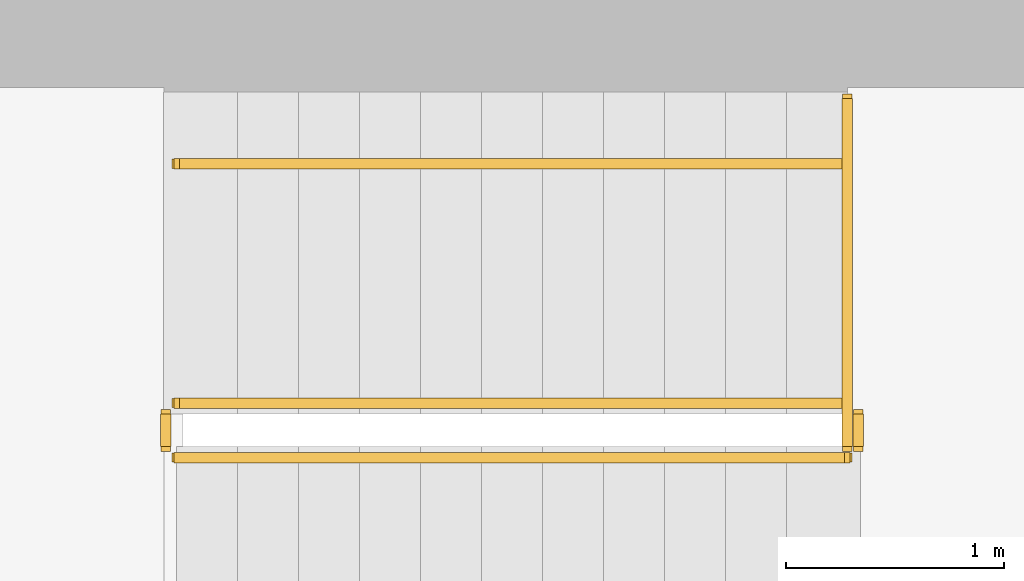
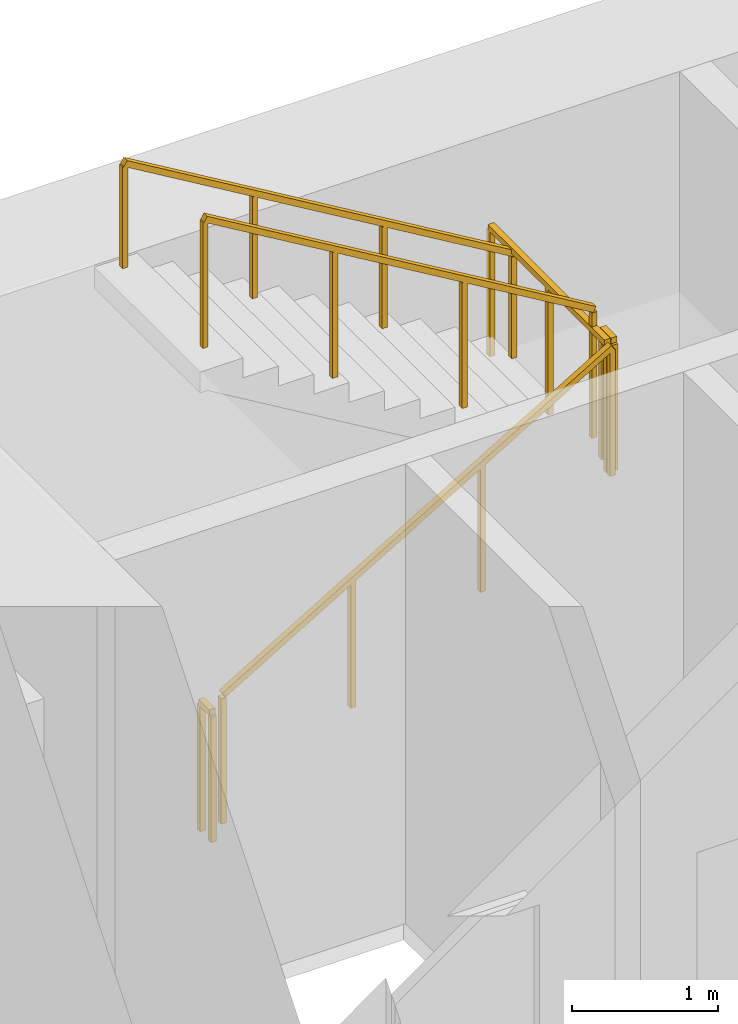
# One storey, part 16 of 17: 6 railings.
"""IFC4 building model written with IfcOpenShell, lengths in metres."""

from ifc_helpers import new_model, si_unit, direction, frame, origin, origin_2d, place, context, subcontext, project, spatial, rectangle, extrude, material, type_object, element, save


model = new_model("IFC4")

# Units and contexts
model_context = context("Model", 3, precision=1e-05, world=origin(), true_north=direction((0.0, 1.0)))
body_context = subcontext(model_context, "Body", "Model", "MODEL_VIEW")
ifc_project = project(units=[si_unit("LENGTHUNIT", "METRE"), si_unit("AREAUNIT", "SQUARE_METRE"), si_unit("VOLUMEUNIT", "CUBIC_METRE"), si_unit("PLANEANGLEUNIT", "RADIAN"), si_unit("MASSUNIT", "GRAM", prefix="KILO")], contexts=[model_context])

# Site, building, storey
site_placement = place(None, origin())
site = spatial("IfcSite", under=ifc_project, at=site_placement, CompositionType="ELEMENT")
building_placement = place(site_placement, origin())
building = spatial("IfcBuilding", under=site, at=building_placement, Name="Sennacour Bend Tower", CompositionType="ELEMENT")
storey_placement = place(building_placement, frame((0.0, 0.0, 151.0)))
storey = spatial("IfcBuildingStorey", under=building, at=storey_placement, Name="L34", CompositionType="ELEMENT", Elevation=151.0)

# Railings
ifc_material = material(Name="Stainless steel", Category="steel")
railing_type_1 = type_object("IfcRailingType", Name="RL-GUARD-1100", PredefinedType="GUARDRAIL", material=ifc_material)
railing_1_placement = place(storey_placement, frame((56.699951171875, 19.85009765625, 0.166748046875)))
element("IfcRailing", 1, at=railing_1_placement, inside=storey, type_object=railing_type_1, Name="L34 SA2 stair guard 1", PredefinedType="GUARDRAIL", context=body_context, shape_type="SweptSolid", body=[
    extrude(rectangle(XDim=0.048095703125, YDim=0.048095703125, at=origin_2d()), frame((0.0, 0.0, 1.076171875), z_axis=(0.859308565015, 0.0, 0.511457515432), x_axis=(0.0, 1.0, 0.0)), (0.0, 0.0, 1.0), 3.58447265625),
    extrude(rectangle(XDim=0.0419921875, YDim=0.0419921875, at=origin_2d()), origin(), (0.0, 0.0, 1.0), 1.052001953125),
    extrude(rectangle(XDim=0.0419921875, YDim=0.0419921875, at=origin_2d()), frame((1.026611328125, 0.0, 0.611083984375)), (0.0, 0.0, 1.0), 1.052001953125),
    extrude(rectangle(XDim=0.0419921875, YDim=0.0419921875, at=origin_2d()), frame((2.053466796875, 0.0, 1.22216796875)), (0.0, 0.0, 1.0), 1.052001953125),
    extrude(rectangle(XDim=0.0419921875, YDim=0.0419921875, at=origin_2d()), frame((3.080078125, 0.0, 1.833251953125)), (0.0, 0.0, 1.0), 1.052001953125),
])
railing_2_placement = place(storey_placement, frame((59.830078125, 19.89990234375, 2.0)))
element("IfcRailing", 2, at=railing_2_placement, inside=storey, type_object=railing_type_1, Name="L34 SA2 stair guard 2", PredefinedType="GUARDRAIL", context=body_context, shape_type="SweptSolid", body=[
    extrude(rectangle(XDim=0.048095703125, YDim=0.048095703125, at=origin_2d()), frame((0.0, 0.0, 1.076171875), z_axis=(0.0, 1.0, 0.0), x_axis=(-1.0, 0.0, 0.0)), (0.0, 0.0, 1.0), 0.150146484375),
    extrude(rectangle(XDim=0.0419921875, YDim=0.0419921875, at=origin_2d()), origin(), (0.0, 0.0, 1.0), 1.052001953125),
    extrude(rectangle(XDim=0.0419921875, YDim=0.0419921875, at=origin_2d()), frame((0.0, 0.150146484375, 0.0)), (0.0, 0.0, 1.0), 1.052001953125),
])
railing_3_placement = place(storey_placement, frame((59.780029296875, 20.10009765625, 2.166748046875)))
element("IfcRailing", 3, at=railing_3_placement, inside=storey, type_object=railing_type_1, Name="L34 SA2 stair guard 4", PredefinedType="GUARDRAIL", context=body_context, shape_type="SweptSolid", body=[
    extrude(rectangle(XDim=0.048095703125, YDim=0.048095703125, at=origin_2d()), frame((0.0, 0.0, 1.076171875), z_axis=(-0.859308565015, 0.0, 0.511457515432), x_axis=(0.0, -1.0, 0.0)), (0.0, 0.0, 1.0), 3.58447265625),
    extrude(rectangle(XDim=0.0419921875, YDim=0.0419921875, at=origin_2d()), origin(), (0.0, 0.0, 1.0), 1.052001953125),
    extrude(rectangle(XDim=0.0419921875, YDim=0.0419921875, at=origin_2d()), frame((-1.026611328125, 0.0, 0.611083984375)), (0.0, 0.0, 1.0), 1.052001953125),
    extrude(rectangle(XDim=0.0419921875, YDim=0.0419921875, at=origin_2d()), frame((-2.053466796875, 0.0, 1.22216796875)), (0.0, 0.0, 1.0), 1.052001953125),
    extrude(rectangle(XDim=0.0419921875, YDim=0.0419921875, at=origin_2d()), frame((-3.080078125, 0.0, 1.833251953125)), (0.0, 0.0, 1.0), 1.052001953125),
])
railing_4_placement = place(storey_placement, frame((56.64990234375, 19.89990234375, 0.0)))
element("IfcRailing", 4, at=railing_4_placement, inside=storey, type_object=railing_type_1, Name="L34 SA2 stair guard 5", PredefinedType="GUARDRAIL", context=body_context, shape_type="SweptSolid", body=[
    extrude(rectangle(XDim=0.048095703125, YDim=0.048095703125, at=origin_2d()), frame((0.0, 0.0, 1.076171875), z_axis=(0.0, 1.0, 0.0), x_axis=(-1.0, 0.0, 0.0)), (0.0, 0.0, 1.0), 0.150146484375),
    extrude(rectangle(XDim=0.0419921875, YDim=0.0419921875, at=origin_2d()), origin(), (0.0, 0.0, 1.0), 1.052001953125),
    extrude(rectangle(XDim=0.0419921875, YDim=0.0419921875, at=origin_2d()), frame((0.0, 0.150146484375, 0.0)), (0.0, 0.0, 1.0), 1.052001953125),
])
railing_5_placement = place(storey_placement, frame((59.780029296875, 19.89990234375, 2.0)))
element("IfcRailing", 5, at=railing_5_placement, inside=storey, type_object=railing_type_1, Name="L34 SA2 landing edge guard 49", PredefinedType="GUARDRAIL", context=body_context, shape_type="SweptSolid", body=[
    extrude(rectangle(XDim=0.048095703125, YDim=0.048095703125, at=origin_2d()), frame((0.0, 0.0, 1.076171875), z_axis=(0.0, 1.0, 0.0), x_axis=(-1.0, 0.0, 0.0)), (0.0, 0.0, 1.0), 1.60009765625),
    extrude(rectangle(XDim=0.0419921875, YDim=0.0419921875, at=origin_2d()), origin(), (0.0, 0.0, 1.0), 1.052001953125),
    extrude(rectangle(XDim=0.0419921875, YDim=0.0419921875, at=origin_2d()), frame((0.0, 0.800048828125, 0.0)), (0.0, 0.0, 1.0), 1.052001953125),
    extrude(rectangle(XDim=0.0419921875, YDim=0.0419921875, at=origin_2d()), frame((0.0, 1.60009765625, 0.0)), (0.0, 0.0, 1.0), 1.052001953125),
])
railing_type_2 = type_object("IfcRailingType", Name="RL-HANDRAIL-900", PredefinedType="HANDRAIL", material=ifc_material)
railing_6_placement = place(storey_placement, frame((59.780029296875, 21.199951171875, 2.166748046875)))
element("IfcRailing", 6, at=railing_6_placement, inside=storey, type_object=railing_type_2, Name="L34 SA2 stair handrail 2", PredefinedType="HANDRAIL", context=body_context, shape_type="SweptSolid", body=[
    extrude(rectangle(XDim=0.048095703125, YDim=0.048095703125, at=origin_2d()), frame((0.0, 0.0, 0.8759765625), z_axis=(-0.859308565015, 0.0, 0.511457515432), x_axis=(0.0, -1.0, 0.0)), (0.0, 0.0, 1.0), 3.58447265625),
    extrude(rectangle(XDim=0.0419921875, YDim=0.0419921875, at=origin_2d()), origin(), (0.0, 0.0, 1.0), 0.851806640625),
    extrude(rectangle(XDim=0.0419921875, YDim=0.0419921875, at=origin_2d()), frame((-1.026611328125, 0.0, 0.611083984375)), (0.0, 0.0, 1.0), 0.851806640625),
    extrude(rectangle(XDim=0.0419921875, YDim=0.0419921875, at=origin_2d()), frame((-2.053466796875, 0.0, 1.22216796875)), (0.0, 0.0, 1.0), 0.851806640625),
    extrude(rectangle(XDim=0.0419921875, YDim=0.0419921875, at=origin_2d()), frame((-3.080078125, 0.0, 1.833251953125)), (0.0, 0.0, 1.0), 0.851806640625),
])

save(model, "model.ifc")
